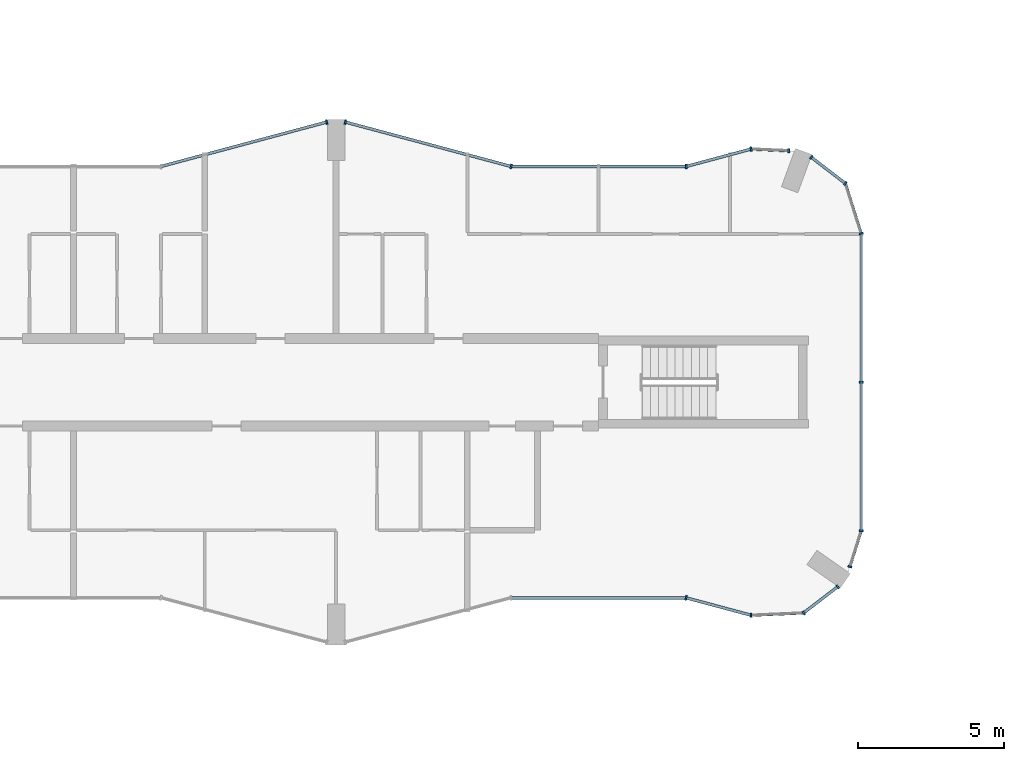
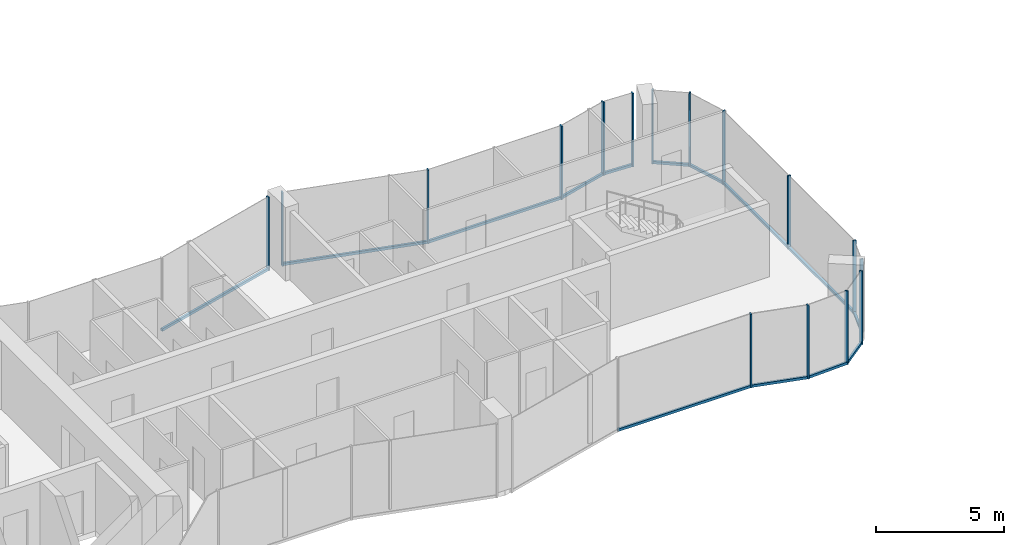
# One storey, part 5 of 23: 29 members, 13 elements without a shape of their own.
"""IFC4 building model written with IfcOpenShell, lengths in metres."""

from ifc_helpers import new_model, si_unit, direction, frame, origin, origin_2d, place, context, subcontext, project, spatial, rectangle, extrude, material, layer, layer_set, material_profile, profile_set, type_object, element, aggregate, save


model = new_model("IFC4")

# Units and contexts
model_context = context("Model", 3, precision=1e-05, world=origin(), true_north=direction((0.0, 1.0)))
body_context = subcontext(model_context, "Body", "Model", "MODEL_VIEW")
ifc_project = project(units=[si_unit("LENGTHUNIT", "METRE"), si_unit("AREAUNIT", "SQUARE_METRE"), si_unit("VOLUMEUNIT", "CUBIC_METRE"), si_unit("PLANEANGLEUNIT", "RADIAN"), si_unit("MASSUNIT", "GRAM", prefix="KILO")], contexts=[model_context])

# Site, building, storey
site_placement = place(None, origin())
site = spatial("IfcSite", under=ifc_project, at=site_placement, CompositionType="ELEMENT")
building_placement = place(site_placement, origin())
building = spatial("IfcBuilding", under=site, at=building_placement, Name="Plateau Cross Towers", CompositionType="ELEMENT")
storey_placement = place(building_placement, frame((0.0, 0.0, 33.800048828125)))
storey = spatial("IfcBuildingStorey", under=building, at=storey_placement, Name="L07", CompositionType="ELEMENT", Elevation=33.800048828125)

# Curtain wall, member
ifc_material_1 = material(Name="Dark low-iron glass", Category="glass")
ifc_layer_1 = layer(ifc_material_1, 0.239990234375)
ifc_layer_set_1 = layer_set([ifc_layer_1], Name="Dark low-iron glass")
curtain_wall_type_1 = type_object("IfcCurtainWallType", Name="Curtain wall flush unitised CW-B", PredefinedType="NOTDEFINED", material=ifc_layer_set_1)
curtain_wall_1_placement = place(storey_placement, origin())
curtain_wall_1 = element("IfcCurtainWall", 1, at=curtain_wall_1_placement, inside=storey, type_object=curtain_wall_type_1, Name="ENV/A/L07/A502_10", PredefinedType="NOTDEFINED")
ifc_material_2 = material(Name="Black anodised aluminium", Category="aluminium")
ifc_material_profile_1 = material_profile(ifc_material_2, rectangle(XDim=0.06005859375, YDim=0.139892578125, at=origin_2d()), Name="MULLION 60x140")
ifc_profile_set_1 = profile_set([ifc_material_profile_1], Name="Black anodised aluminium")
member_type_1 = type_object("IfcMemberType", Name="Mullion 60x140 flush unitised", PredefinedType="MULLION", material=ifc_profile_set_1)
member_1_placement = place(storey_placement, frame((50.223876953125, 1.01123046875, -0.25), z_axis=(0.0, 0.0, 1.0), x_axis=(0.999043701491, 0.043722791671, 0.0)))
member_1 = element("IfcMember", 2, at=member_1_placement, type_object=member_type_1, Name="CW-B mullion 1", PredefinedType="MULLION", context=body_context, shape_type="SweptSolid", body=[
    extrude(rectangle(XDim=0.06005859375, YDim=0.139892578125, at=origin_2d()), origin(), (0.0, 0.0, 1.0), 3.5),
])

# Curtain wall, members
curtain_wall_2_placement = place(storey_placement, origin())
curtain_wall_2 = element("IfcCurtainWall", 3, at=curtain_wall_2_placement, inside=storey, type_object=curtain_wall_type_1, Name="ENV/A/L07/A520_11", PredefinedType="NOTDEFINED")
member_2_placement = place(storey_placement, frame((52.0263671875, 1.090087890625, -0.25), z_axis=(0.0, 0.0, 1.0), x_axis=(0.793315514529, 0.608810721331, 0.0)))
member_2 = element("IfcMember", 4, at=member_2_placement, type_object=member_type_1, Name="CW-B mullion 1", PredefinedType="MULLION", context=body_context, shape_type="SweptSolid", body=[
    extrude(rectangle(XDim=0.06005859375, YDim=0.139892578125, at=origin_2d()), origin(), (0.0, 0.0, 1.0), 3.5),
])
member_3_placement = place(storey_placement, frame((53.193603515625, 1.986083984375, -0.25), z_axis=(0.0, 0.0, 1.0), x_axis=(0.793315514529, 0.608810721331, 0.0)))
member_3 = element("IfcMember", 5, at=member_3_placement, type_object=member_type_1, Name="CW-B mullion 2", PredefinedType="MULLION", context=body_context, shape_type="SweptSolid", body=[
    extrude(rectangle(XDim=0.06005859375, YDim=0.139892578125, at=origin_2d()), origin(), (0.0, 0.0, 1.0), 3.5),
])

# Curtain wall, member
curtain_wall_3_placement = place(storey_placement, origin())
curtain_wall_3 = element("IfcCurtainWall", 6, at=curtain_wall_3_placement, inside=storey, type_object=curtain_wall_type_1, Name="ENV/A/L07/A536_27", PredefinedType="NOTDEFINED")
member_4_placement = place(storey_placement, frame((53.611083984375, 2.67529296875, -0.25), z_axis=(0.0, 0.0, 1.0), x_axis=(0.300686174994, 0.95372313811, 0.0)))
member_4 = element("IfcMember", 7, at=member_4_placement, type_object=member_type_1, Name="CW-B mullion 1", PredefinedType="MULLION", context=body_context, shape_type="SweptSolid", body=[
    extrude(rectangle(XDim=0.06005859375, YDim=0.139892578125, at=origin_2d()), origin(), (0.0, 0.0, 1.0), 3.5),
])

# Curtain wall, members
curtain_wall_4_placement = place(storey_placement, origin())
curtain_wall_4 = element("IfcCurtainWall", 8, at=curtain_wall_4_placement, inside=storey, type_object=curtain_wall_type_1, Name="ENV/A/L07/A540_39", PredefinedType="NOTDEFINED")
member_5_placement = place(storey_placement, frame((54.0, 3.9091796875, -0.25), z_axis=(0.0, 0.0, 1.0), x_axis=(0.0, 1.0, 0.0)))
member_5 = element("IfcMember", 9, at=member_5_placement, type_object=member_type_1, Name="CW-B mullion 1", PredefinedType="MULLION", context=body_context, shape_type="SweptSolid", body=[
    extrude(rectangle(XDim=0.06005859375, YDim=0.139892578125, at=origin_2d()), origin(), (0.0, 0.0, 1.0), 3.5),
])
member_6_placement = place(storey_placement, frame((54.0, 9.0, -0.25), z_axis=(0.0, 0.0, 1.0), x_axis=(0.0, 1.0, 0.0)))
member_6 = element("IfcMember", 10, at=member_6_placement, type_object=member_type_1, Name="CW-B mullion 2", PredefinedType="MULLION", context=body_context, shape_type="SweptSolid", body=[
    extrude(rectangle(XDim=0.06005859375, YDim=0.139892578125, at=origin_2d()), origin(), (0.0, 0.0, 1.0), 3.5),
])

# Curtain wall, member
curtain_wall_5_placement = place(storey_placement, origin())
curtain_wall_5 = element("IfcCurtainWall", 11, at=curtain_wall_5_placement, inside=storey, type_object=curtain_wall_type_1, Name="ENV/A/L07/A540_141", PredefinedType="NOTDEFINED")
member_7_placement = place(storey_placement, frame((54.0, 14.0908203125, -0.25), z_axis=(0.0, 0.0, 1.0), x_axis=(-0.300686174994, 0.95372313811, 0.0)))
member_7 = element("IfcMember", 12, at=member_7_placement, type_object=member_type_1, Name="CW-B mullion 1", PredefinedType="MULLION", context=body_context, shape_type="SweptSolid", body=[
    extrude(rectangle(XDim=0.06005859375, YDim=0.139892578125, at=origin_2d()), origin(), (0.0, 0.0, 1.0), 3.5),
])

# Curtain wall, members
curtain_wall_6_placement = place(storey_placement, origin())
curtain_wall_6 = element("IfcCurtainWall", 13, at=curtain_wall_6_placement, inside=storey, type_object=curtain_wall_type_1, Name="ENV/A/L07/A535_158", PredefinedType="NOTDEFINED")
member_8_placement = place(storey_placement, frame((53.45751953125, 15.8115234375, -0.25), z_axis=(0.0, 0.0, 1.0), x_axis=(-0.793315514529, 0.608810721331, 0.0)))
member_8 = element("IfcMember", 14, at=member_8_placement, type_object=member_type_1, Name="CW-B mullion 1", PredefinedType="MULLION", context=body_context, shape_type="SweptSolid", body=[
    extrude(rectangle(XDim=0.06005859375, YDim=0.139892578125, at=origin_2d()), origin(), (0.0, 0.0, 1.0), 3.5),
])
member_9_placement = place(storey_placement, frame((52.290283203125, 16.707275390625, -0.25), z_axis=(0.0, 0.0, 1.0), x_axis=(-0.793315514529, 0.608810721331, 0.0)))
member_9 = element("IfcMember", 15, at=member_9_placement, type_object=member_type_1, Name="CW-B mullion 2", PredefinedType="MULLION", context=body_context, shape_type="SweptSolid", body=[
    extrude(rectangle(XDim=0.06005859375, YDim=0.139892578125, at=origin_2d()), origin(), (0.0, 0.0, 1.0), 3.5),
])

# Curtain wall, member
curtain_wall_7_placement = place(storey_placement, origin())
curtain_wall_7 = element("IfcCurtainWall", 16, at=curtain_wall_7_placement, inside=storey, type_object=curtain_wall_type_1, Name="ENV/A/L07/A515_169", PredefinedType="NOTDEFINED")
member_10_placement = place(storey_placement, frame((51.516357421875, 16.93212890625, -0.25), z_axis=(0.0, 0.0, 1.0), x_axis=(-0.999043701491, 0.043722791671, 0.0)))
member_10 = element("IfcMember", 17, at=member_10_placement, type_object=member_type_1, Name="CW-B mullion 1", PredefinedType="MULLION", context=body_context, shape_type="SweptSolid", body=[
    extrude(rectangle(XDim=0.06005859375, YDim=0.139892578125, at=origin_2d()), origin(), (0.0, 0.0, 1.0), 3.5),
])

ifc_layer_2 = layer(ifc_material_1, 0.260009765625)
ifc_layer_set_2 = layer_set([ifc_layer_2], Name="Dark low-iron glass")
curtain_wall_type_2 = type_object("IfcCurtainWallType", Name="Curtain wall fluted unitised CW-A", PredefinedType="NOTDEFINED", material=ifc_layer_set_2)
curtain_wall_8_placement = place(storey_placement, origin())
curtain_wall_8 = element("IfcCurtainWall", 18, at=curtain_wall_8_placement, inside=storey, type_object=curtain_wall_type_2, Name="ENV/A/L07/A480_16", PredefinedType="NOTDEFINED")
ifc_material_profile_2 = material_profile(ifc_material_2, rectangle(XDim=0.06005859375, YDim=0.159912109375, at=origin_2d()), Name="MULLION 60x160")
ifc_profile_set_2 = profile_set([ifc_material_profile_2], Name="Black anodised aluminium")
member_type_2 = type_object("IfcMemberType", Name="Mullion 60x160 fluted unitised", PredefinedType="MULLION", material=ifc_profile_set_2)
member_11_placement = place(storey_placement, frame((48.0, 1.60693359375, -0.25), z_axis=(0.0, 0.0, 1.0), x_axis=(0.965957962328, -0.258699081978, 0.0)))
member_11 = element("IfcMember", 19, at=member_11_placement, type_object=member_type_2, Name="CW-A mullion 1", PredefinedType="MULLION", context=body_context, shape_type="SweptSolid", body=[
    extrude(rectangle(XDim=0.06005859375, YDim=0.159912109375, at=origin_2d()), origin(), (0.0, 0.0, 1.0), 3.5),
])

curtain_wall_9_placement = place(storey_placement, origin())
curtain_wall_9 = element("IfcCurtainWall", 20, at=curtain_wall_9_placement, inside=storey, type_object=curtain_wall_type_2, Name="ENV/A/L07/A502_170", PredefinedType="NOTDEFINED")
member_12_placement = place(storey_placement, frame((50.223876953125, 16.98876953125, -0.25), z_axis=(0.0, 0.0, 1.0), x_axis=(-0.965957962328, -0.258699081978, 0.0)))
member_12 = element("IfcMember", 21, at=member_12_placement, type_object=member_type_2, Name="CW-A mullion 1", PredefinedType="MULLION", context=body_context, shape_type="SweptSolid", body=[
    extrude(rectangle(XDim=0.06005859375, YDim=0.159912109375, at=origin_2d()), origin(), (0.0, 0.0, 1.0), 3.5),
])

curtain_wall_10_placement = place(storey_placement, origin())
curtain_wall_10 = element("IfcCurtainWall", 22, at=curtain_wall_10_placement, inside=storey, type_object=curtain_wall_type_2, Name="ENV/A/L07/A480_164", PredefinedType="NOTDEFINED")
member_13_placement = place(storey_placement, frame((48.0, 16.39306640625, -0.25), z_axis=(0.0, 0.0, 1.0), x_axis=(-1.0, 0.0, 0.0)))
member_13 = element("IfcMember", 23, at=member_13_placement, type_object=member_type_2, Name="CW-A mullion 1", PredefinedType="MULLION", context=body_context, shape_type="SweptSolid", body=[
    extrude(rectangle(XDim=0.06005859375, YDim=0.159912109375, at=origin_2d()), origin(), (0.0, 0.0, 1.0), 3.5),
])

# Curtain wall, members
curtain_wall_11_placement = place(storey_placement, origin())
curtain_wall_11 = element("IfcCurtainWall", 24, at=curtain_wall_11_placement, inside=storey, type_object=curtain_wall_type_2, Name="ENV/A/L07/A420_164", PredefinedType="NOTDEFINED")
member_14_placement = place(storey_placement, frame((42.0, 16.39306640625, -0.25), z_axis=(0.0, 0.0, 1.0), x_axis=(-0.965957983404, 0.258699003279, 0.0)))
member_14 = element("IfcMember", 25, at=member_14_placement, type_object=member_type_2, Name="CW-A mullion 1", PredefinedType="MULLION", context=body_context, shape_type="SweptSolid", body=[
    extrude(rectangle(XDim=0.06005859375, YDim=0.159912109375, at=origin_2d()), origin(), (0.0, 0.0, 1.0), 3.5),
])
member_15_placement = place(storey_placement, frame((36.31787109375, 17.914794921875, -0.25), z_axis=(0.0, 0.0, 1.0), x_axis=(-0.965957983404, 0.258699003279, 0.0)))
member_15 = element("IfcMember", 26, at=member_15_placement, type_object=member_type_2, Name="CW-A mullion 2", PredefinedType="MULLION", context=body_context, shape_type="SweptSolid", body=[
    extrude(rectangle(XDim=0.06005859375, YDim=0.159912109375, at=origin_2d()), origin(), (0.0, 0.0, 1.0), 3.5),
])

# Curtain wall, member
curtain_wall_12_placement = place(storey_placement, origin())
curtain_wall_12 = element("IfcCurtainWall", 27, at=curtain_wall_12_placement, inside=storey, type_object=curtain_wall_type_2, Name="ENV/A/L07/A357_179", PredefinedType="NOTDEFINED")
member_16_placement = place(storey_placement, frame((35.68212890625, 17.914794921875, -0.25), z_axis=(0.0, 0.0, 1.0), x_axis=(-0.965957983404, -0.258699003279, 0.0)))
member_16 = element("IfcMember", 28, at=member_16_placement, type_object=member_type_2, Name="CW-A mullion 1", PredefinedType="MULLION", context=body_context, shape_type="SweptSolid", body=[
    extrude(rectangle(XDim=0.06005859375, YDim=0.159912109375, at=origin_2d()), origin(), (0.0, 0.0, 1.0), 3.5),
])

# Member
ifc_material_profile_3 = material_profile(ifc_material_2, rectangle(XDim=0.10009765625, YDim=0.1201171875, at=origin_2d()), Name="TRANSOM 100x120")
ifc_profile_set_3 = profile_set([ifc_material_profile_3], Name="Black anodised aluminium")
member_type_3 = type_object("IfcMemberType", Name="Transom 100x120 flush unitised", PredefinedType="USERDEFINED", material=ifc_profile_set_3)
member_17_placement = place(storey_placement, frame((50.223876953125, 1.01123046875, -0.18994140625), z_axis=(0.999044377355, 0.043707345779, 0.0), x_axis=(-0.043707345779, 0.999044377355, 0.0)))
member_17 = element("IfcMember", 29, at=member_17_placement, type_object=member_type_3, Name="CW-B transom", ObjectType="TRANSOM", PredefinedType="USERDEFINED", context=body_context, shape_type="SweptSolid", body=[
    extrude(rectangle(XDim=0.10009765625, YDim=0.1201171875, at=origin_2d()), origin(), (0.0, 0.0, 1.0), 1.80419921875),
])

aggregate(curtain_wall_1, [member_1, member_17])

member_18_placement = place(storey_placement, frame((52.0263671875, 1.090087890625, -0.18994140625), z_axis=(0.793240368515, 0.608908628415, 0.0), x_axis=(-0.608908628415, 0.793240368515, 0.0)))
member_18 = element("IfcMember", 30, at=member_18_placement, type_object=member_type_3, Name="CW-B transom", ObjectType="TRANSOM", PredefinedType="USERDEFINED", context=body_context, shape_type="SweptSolid", body=[
    extrude(rectangle(XDim=0.10009765625, YDim=0.1201171875, at=origin_2d()), origin(), (0.0, 0.0, 1.0), 1.471435546875),
])

aggregate(curtain_wall_2, [member_2, member_3, member_18])

member_19_placement = place(storey_placement, frame((53.611083984375, 2.67529296875, -0.18994140625), z_axis=(0.300616528216, 0.953745093284, 0.0), x_axis=(-0.953745093284, 0.300616528216, 0.0)))
member_19 = element("IfcMember", 31, at=member_19_placement, type_object=member_type_3, Name="CW-B transom", ObjectType="TRANSOM", PredefinedType="USERDEFINED", context=body_context, shape_type="SweptSolid", body=[
    extrude(rectangle(XDim=0.10009765625, YDim=0.1201171875, at=origin_2d()), origin(), (0.0, 0.0, 1.0), 1.293701171875),
])

aggregate(curtain_wall_3, [member_4, member_19])

member_20_placement = place(storey_placement, frame((54.0, 3.9091796875, -0.18994140625), z_axis=(0.0, 1.0, 0.0), x_axis=(-1.0, 0.0, 0.0)))
member_20 = element("IfcMember", 32, at=member_20_placement, type_object=member_type_3, Name="CW-B transom", ObjectType="TRANSOM", PredefinedType="USERDEFINED", context=body_context, shape_type="SweptSolid", body=[
    extrude(rectangle(XDim=0.10009765625, YDim=0.1201171875, at=origin_2d()), origin(), (0.0, 0.0, 1.0), 10.181640625),
])

aggregate(curtain_wall_4, [member_5, member_6, member_20])

member_21_placement = place(storey_placement, frame((54.0, 14.0908203125, -0.18994140625), z_axis=(-0.30067799945, 0.953725715626, 0.0), x_axis=(-0.953725715626, -0.30067799945, 0.0)))
member_21 = element("IfcMember", 33, at=member_21_placement, type_object=member_type_3, Name="CW-B transom", ObjectType="TRANSOM", PredefinedType="USERDEFINED", context=body_context, shape_type="SweptSolid", body=[
    extrude(rectangle(XDim=0.10009765625, YDim=0.1201171875, at=origin_2d()), origin(), (0.0, 0.0, 1.0), 1.80419921875),
])

aggregate(curtain_wall_5, [member_7, member_21])

member_22_placement = place(storey_placement, frame((53.45751953125, 15.8115234375, -0.18994140625), z_axis=(-0.793320508571, 0.608804213751, 0.0), x_axis=(-0.608804213751, -0.793320508571, 0.0)))
member_22 = element("IfcMember", 34, at=member_22_placement, type_object=member_type_3, Name="CW-B transom", ObjectType="TRANSOM", PredefinedType="USERDEFINED", context=body_context, shape_type="SweptSolid", body=[
    extrude(rectangle(XDim=0.10009765625, YDim=0.1201171875, at=origin_2d()), origin(), (0.0, 0.0, 1.0), 1.471435546875),
])

aggregate(curtain_wall_6, [member_8, member_9, member_22])

member_23_placement = place(storey_placement, frame((51.516357421875, 16.93212890625, -0.18994140625), z_axis=(-0.999041144614, 0.043781175963, 0.0), x_axis=(-0.043781175963, -0.999041144614, 0.0)))
member_23 = element("IfcMember", 35, at=member_23_placement, type_object=member_type_3, Name="CW-B transom", ObjectType="TRANSOM", PredefinedType="USERDEFINED", context=body_context, shape_type="SweptSolid", body=[
    extrude(rectangle(XDim=0.10009765625, YDim=0.1201171875, at=origin_2d()), origin(), (0.0, 0.0, 1.0), 1.293701171875),
])

aggregate(curtain_wall_7, [member_10, member_23])

# Curtain wall, member
curtain_wall_13_placement = place(storey_placement, origin())
curtain_wall_13 = element("IfcCurtainWall", 36, at=curtain_wall_13_placement, inside=storey, type_object=curtain_wall_type_2, Name="ENV/A/L07/A420_16", PredefinedType="NOTDEFINED")
ifc_material_profile_4 = material_profile(ifc_material_2, rectangle(XDim=0.10009765625, YDim=0.1201171875, at=origin_2d()), Name="TRANSOM 100x120")
ifc_profile_set_4 = profile_set([ifc_material_profile_4], Name="Black anodised aluminium")
member_type_4 = type_object("IfcMemberType", Name="Transom 100x120 fluted unitised", PredefinedType="USERDEFINED", material=ifc_profile_set_4)
member_24_placement = place(storey_placement, frame((42.0, 1.60693359375, -0.18994140625), z_axis=(1.0, 0.0, 0.0), x_axis=(0.0, 1.0, 0.0)))
member_24 = element("IfcMember", 37, at=member_24_placement, type_object=member_type_4, Name="CW-A transom", ObjectType="TRANSOM", PredefinedType="USERDEFINED", context=body_context, shape_type="SweptSolid", body=[
    extrude(rectangle(XDim=0.10009765625, YDim=0.1201171875, at=origin_2d()), origin(), (0.0, 0.0, 1.0), 6.0),
])
aggregate(curtain_wall_13, [member_24])

# Member
member_25_placement = place(storey_placement, frame((48.0, 1.60693359375, -0.18994140625), z_axis=(0.965945685136, -0.258744919501, 0.0), x_axis=(0.258744919501, 0.965945685136, 0.0)))
member_25 = element("IfcMember", 38, at=member_25_placement, type_object=member_type_4, Name="CW-A transom", ObjectType="TRANSOM", PredefinedType="USERDEFINED", context=body_context, shape_type="SweptSolid", body=[
    extrude(rectangle(XDim=0.10009765625, YDim=0.1201171875, at=origin_2d()), origin(), (0.0, 0.0, 1.0), 2.30224609375),
])

aggregate(curtain_wall_8, [member_11, member_25])

member_26_placement = place(storey_placement, frame((50.223876953125, 16.98876953125, -0.18994140625), z_axis=(-0.965945685136, -0.258744919501, 0.0), x_axis=(0.258744919501, -0.965945685136, 0.0)))
member_26 = element("IfcMember", 39, at=member_26_placement, type_object=member_type_4, Name="CW-A transom", ObjectType="TRANSOM", PredefinedType="USERDEFINED", context=body_context, shape_type="SweptSolid", body=[
    extrude(rectangle(XDim=0.10009765625, YDim=0.1201171875, at=origin_2d()), origin(), (0.0, 0.0, 1.0), 2.30224609375),
])

aggregate(curtain_wall_9, [member_12, member_26])

member_27_placement = place(storey_placement, frame((48.0, 16.39306640625, -0.18994140625), z_axis=(-1.0, 0.0, 0.0), x_axis=(0.0, -1.0, 0.0)))
member_27 = element("IfcMember", 40, at=member_27_placement, type_object=member_type_4, Name="CW-A transom", ObjectType="TRANSOM", PredefinedType="USERDEFINED", context=body_context, shape_type="SweptSolid", body=[
    extrude(rectangle(XDim=0.10009765625, YDim=0.1201171875, at=origin_2d()), origin(), (0.0, 0.0, 1.0), 6.0),
])

aggregate(curtain_wall_10, [member_13, member_27])

member_28_placement = place(storey_placement, frame((42.0, 16.39306640625, -0.18994140625), z_axis=(-0.965959534794, 0.258693210465, 0.0), x_axis=(-0.258693210465, -0.965959534794, 0.0)))
member_28 = element("IfcMember", 41, at=member_28_placement, type_object=member_type_4, Name="CW-A transom", ObjectType="TRANSOM", PredefinedType="USERDEFINED", context=body_context, shape_type="SweptSolid", body=[
    extrude(rectangle(XDim=0.10009765625, YDim=0.1201171875, at=origin_2d()), origin(), (0.0, 0.0, 1.0), 5.88232421875),
])

aggregate(curtain_wall_11, [member_14, member_15, member_28])

member_29_placement = place(storey_placement, frame((35.68212890625, 17.914794921875, -0.18994140625), z_axis=(-0.965959534794, -0.258693210465, 0.0), x_axis=(0.258693210465, -0.965959534794, 0.0)))
member_29 = element("IfcMember", 42, at=member_29_placement, type_object=member_type_4, Name="CW-A transom", ObjectType="TRANSOM", PredefinedType="USERDEFINED", context=body_context, shape_type="SweptSolid", body=[
    extrude(rectangle(XDim=0.10009765625, YDim=0.1201171875, at=origin_2d()), origin(), (0.0, 0.0, 1.0), 5.88232421875),
])

aggregate(curtain_wall_12, [member_16, member_29])

save(model, "model.ifc")
